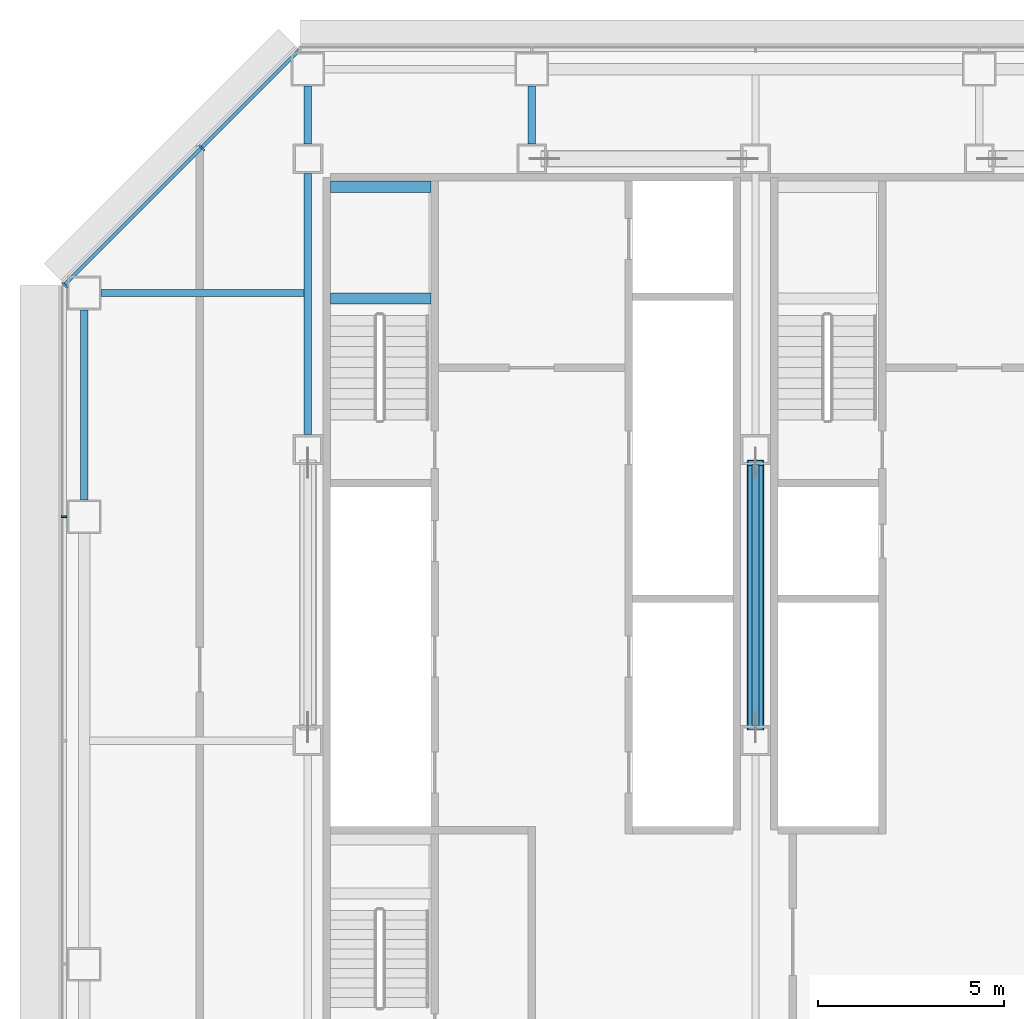
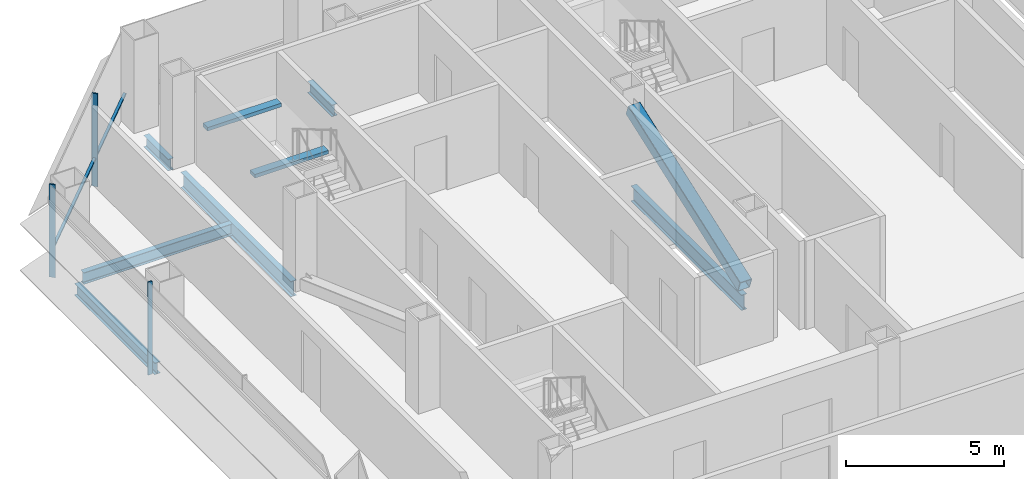
# One storey, part 11 of 28: 8 beams, 5 members, 2 elements without a shape of their own.
"""IFC4 building model written with IfcOpenShell, lengths in metres."""

from ifc_helpers import new_model, si_unit, direction, frame, origin, origin_2d, place, context, subcontext, project, spatial, rectangle, hollow_rectangle, i_section, extrude, material, material_profile, profile_set, type_object, element, aggregate, save


model = new_model("IFC4")

# Units and contexts
model_context = context("Model", 3, precision=1e-05, world=origin(), true_north=direction((0.0, 1.0)))
body_context = subcontext(model_context, "Body", "Model", "MODEL_VIEW")
ifc_project = project(units=[si_unit("LENGTHUNIT", "METRE"), si_unit("AREAUNIT", "SQUARE_METRE"), si_unit("VOLUMEUNIT", "CUBIC_METRE"), si_unit("PLANEANGLEUNIT", "RADIAN"), si_unit("MASSUNIT", "GRAM", prefix="KILO")], contexts=[model_context])

# Site, building, storey
site_placement = place(None, origin())
site = spatial("IfcSite", under=ifc_project, at=site_placement, CompositionType="ELEMENT")
building_placement = place(site_placement, origin())
building = spatial("IfcBuilding", under=site, at=building_placement, Name="Sorahane Residences", CompositionType="ELEMENT")
storey_placement = place(building_placement, frame((0.0, 0.0, 60.60009765625)))
storey = spatial("IfcBuildingStorey", under=building, at=storey_placement, Name="L11", CompositionType="ELEMENT", Elevation=60.60009765625)

# Member
ifc_material_1 = material(Name="Steel Q355B", Category="steel")
ifc_material_profile_1 = material_profile(ifc_material_1, hollow_rectangle(XDim=0.449951171875, YDim=0.449951171875, WallThickness=0.02197265625, InnerFilletRadius=0.010986328125, OuterFilletRadius=0.032958984375, at=origin_2d()), Name="RHS 450x450x22")
ifc_profile_set_1 = profile_set([ifc_material_profile_1], Name="Steel Q355B")
member_type_1 = type_object("IfcMemberType", Name="Core brace RHS 450x450x22 Q355B", PredefinedType="BRACE", material=ifc_profile_set_1)
member_1_placement = place(storey_placement, frame((18.0, 30.354248046875, 0.20849609375), z_axis=(0.0, 0.940886586011, 0.338721762313), x_axis=(-1.0, 0.0, 0.0)))
element("IfcMember", 1, at=member_1_placement, inside=storey, type_object=member_type_1, Name="Core brace L11 x18-1", PredefinedType="BRACE", context=body_context, shape_type="SweptSolid", body=[
    extrude(hollow_rectangle(XDim=0.449951171875, YDim=0.449951171875, WallThickness=0.02197265625, InnerFilletRadius=0.010986328125, OuterFilletRadius=0.032958984375, at=origin_2d()), origin(), (0.0, 0.0, 1.0), 7.537109375),
])

# Curtain wall, member
ifc_material_2 = material(Name="Dark low-e glass and black anodised aluminium", Category="aluminium")
curtain_wall_type_1 = type_object("IfcCurtainWallType", Name="Curtain wall CW-1 Typical unitised wall", PredefinedType="NOTDEFINED", material=ifc_material_2)
curtain_wall_1_placement = place(storey_placement, origin())
curtain_wall_1 = element("IfcCurtainWall", 2, at=curtain_wall_1_placement, inside=storey, type_object=curtain_wall_type_1, Name="CW-1 curtain wall L11 W1", PredefinedType="NOTDEFINED")
ifc_material_3 = material(Name="Black anodised aluminium", Category="aluminium")
ifc_material_profile_2 = material_profile(ifc_material_3, rectangle(XDim=0.159912109375, YDim=0.050048828125, at=origin_2d()), Name="Curtain wall mullion CW-1 black anodised aluminium 50x160")
ifc_profile_set_2 = profile_set([ifc_material_profile_2], Name="Black anodised aluminium")
member_type_2 = type_object("IfcMemberType", Name="Curtain wall mullion CW-1 black anodised aluminium 50x160", PredefinedType="MULLION", material=ifc_profile_set_2)
member_2_placement = place(storey_placement, frame((-0.5400390625, 36.0, -0.18017578125), z_axis=(0.0, 0.0, 1.0), x_axis=(-1.0, 0.0, 0.0)))
member_2 = element("IfcMember", 3, at=member_2_placement, type_object=member_type_2, Name="CW-1 mullion L11 W1.2", PredefinedType="MULLION", context=body_context, shape_type="SweptSolid", body=[
    extrude(rectangle(XDim=0.159912109375, YDim=0.050048828125, at=origin_2d()), origin(), (0.0, 0.0, 1.0), 3.60009765625),
])
aggregate(curtain_wall_1, [member_2])

# Curtain wall, members
ifc_material_4 = material(Name="Dark low-e glass and black anodised aluminium", Category="aluminium")
curtain_wall_type_2 = type_object("IfcCurtainWallType", Name="Curtain wall CW-2 Chamfer unitised wall", PredefinedType="NOTDEFINED", material=ifc_material_4)
curtain_wall_2_placement = place(storey_placement, origin())
curtain_wall_2 = element("IfcCurtainWall", 4, at=curtain_wall_2_placement, inside=storey, type_object=curtain_wall_type_2, Name="CW-2 curtain wall L11 NW1", PredefinedType="NOTDEFINED")
ifc_material_5 = material(Name="Black anodised aluminium", Category="aluminium")
ifc_material_profile_3 = material_profile(ifc_material_5, rectangle(XDim=0.199951171875, YDim=0.050048828125, at=origin_2d()), Name="Curtain wall mullion CW-2 black anodised aluminium 50x200")
ifc_profile_set_3 = profile_set([ifc_material_profile_3], Name="Black anodised aluminium")
member_type_3 = type_object("IfcMemberType", Name="Curtain wall mullion CW-2 black anodised aluminium 50x200", PredefinedType="MULLION", material=ifc_profile_set_3)
member_3_placement = place(storey_placement, frame((3.15673828125, 45.89208984375, -0.18017578125), z_axis=(0.0, 0.0, 1.0), x_axis=(-0.707106781187, 0.707106781187, 0.0)))
member_3 = element("IfcMember", 5, at=member_3_placement, type_object=member_type_3, Name="CW-2 mullion L11 NW1.2", PredefinedType="MULLION", context=body_context, shape_type="SweptSolid", body=[
    extrude(rectangle(XDim=0.199951171875, YDim=0.050048828125, at=origin_2d()), origin(), (0.0, 0.0, 1.0), 3.60009765625),
])
member_4_placement = place(storey_placement, frame((-0.525634765625, 42.209716796875, -0.18017578125), z_axis=(0.0, 0.0, 1.0), x_axis=(-0.707106781187, 0.707106781187, 0.0)))
member_4 = element("IfcMember", 6, at=member_4_placement, type_object=member_type_3, Name="CW-2 mullion L11 NW1.3", PredefinedType="MULLION", context=body_context, shape_type="SweptSolid", body=[
    extrude(rectangle(XDim=0.199951171875, YDim=0.050048828125, at=origin_2d()), origin(), (0.0, 0.0, 1.0), 3.60009765625),
])
ifc_material_6 = material(Name="Black anodised aluminium", Category="aluminium")
ifc_material_profile_4 = material_profile(ifc_material_6, rectangle(XDim=0.10009765625, YDim=0.06005859375, at=origin_2d()), Name="Curtain wall transom CW-2 black anodised aluminium 60x100")
ifc_profile_set_4 = profile_set([ifc_material_profile_4], Name="Black anodised aluminium")
member_type_4 = type_object("IfcMemberType", Name="Curtain wall transom CW-2 black anodised aluminium 60x100", PredefinedType="USERDEFINED", material=ifc_profile_set_4)
member_5_placement = place(storey_placement, frame((5.765625, 48.51513671875, 0.89990234375), z_axis=(-0.707106781187, -0.707106781187, 0.0), x_axis=(0.707106781187, -0.707106781187, 0.0)))
member_5 = element("IfcMember", 7, at=member_5_placement, type_object=member_type_4, Name="CW-2 transom L11 NW1", ObjectType="TRANSOM", PredefinedType="USERDEFINED", context=body_context, shape_type="SweptSolid", body=[
    extrude(rectangle(XDim=0.10009765625, YDim=0.06005859375, at=origin_2d()), origin(), (0.0, 0.0, 1.0), 8.88232421875),
])
aggregate(curtain_wall_2, [member_3, member_4, member_5])

# Beams
ifc_material_7 = material(Name="Concrete C40", Category="concrete")
ifc_material_profile_5 = material_profile(ifc_material_7, rectangle(XDim=0.300048828125, YDim=0.139892578125, at=origin_2d()), Name="300x140")
ifc_profile_set_5 = profile_set([ifc_material_profile_5], Name="Concrete C40")
beam_type_1 = type_object("IfcBeamType", Name="RC landing beam 300 x 140 Concrete C40", PredefinedType="BEAM", material=ifc_profile_set_5)
for number, where, z_axis, x_axis, name in (
    (8, (6.60009765625, 41.85009765625, 1.52978515625), (1.0, 0.0, 0.0), (0.0, 1.0, 0.0), "Landing beam"),
    (9, (6.60009765625, 44.85009765625, 1.52978515625), (1.0, 0.0, 0.0), (0.0, 1.0, 0.0), "Landing beam"),
):
    element("IfcBeam", number, at=place(storey_placement, frame(where, z_axis=z_axis, x_axis=x_axis)), inside=storey, type_object=beam_type_1, Name=name, PredefinedType="BEAM", context=body_context, shape_type="SweptSolid", body=[
        extrude(rectangle(XDim=0.300048828125, YDim=0.139892578125, at=origin_2d()), origin(), (0.0, 0.0, 1.0), 2.699951171875),
    ])
ifc_material_8 = material(Name="Steel Q355B", Category="steel")
ifc_material_profile_6 = material_profile(ifc_material_8, i_section(OverallWidth=0.199951171875, OverallDepth=0.449951171875, WebThickness=0.009033203125, FlangeThickness=0.013916015625, FilletRadius=0.02001953125, at=origin_2d()), Name="HN 450x200x9x14")
ifc_profile_set_6 = profile_set([ifc_material_profile_6], Name="Steel Q355B")
beam_type_2 = type_object("IfcBeamType", Name="Steel floor beam HN 450x200x9x14 Q355B", PredefinedType="BEAM", material=ifc_profile_set_6)
beam_1_placement = place(storey_placement, frame((0.0, 36.449951171875, -0.405029296875), z_axis=(0.0, 1.0, 0.0), x_axis=(-1.0, 0.0, 0.0)))
element("IfcBeam", 10, at=beam_1_placement, inside=storey, type_object=beam_type_2, Name="Beam L11 020", PredefinedType="BEAM", context=body_context, shape_type="SweptSolid", body=[
    extrude(i_section(OverallWidth=0.199951171875, OverallDepth=0.449951171875, WebThickness=0.009033203125, FlangeThickness=0.013916015625, FilletRadius=0.02001953125, at=origin_2d()), origin(), (0.0, 0.0, 1.0), 5.10009765625),
])
for number, where, z_axis, x_axis, name in (
    (11, (6.0, 46.0, -0.405029296875), (0.0, 1.0, 0.0), (-1.0, 0.0, 0.0), "Beam L11 026"),
    (12, (12.0, 46.0, -0.405029296875), (0.0, 1.0, 0.0), (-1.0, 0.0, 0.0), "Beam L11 028"),
):
    element("IfcBeam", number, at=place(storey_placement, frame(where, z_axis=z_axis, x_axis=x_axis)), inside=storey, type_object=beam_type_2, Name=name, PredefinedType="BEAM", context=body_context, shape_type="SweptSolid", body=[
        extrude(i_section(OverallWidth=0.199951171875, OverallDepth=0.449951171875, WebThickness=0.009033203125, FlangeThickness=0.013916015625, FilletRadius=0.02001953125, at=origin_2d()), origin(), (0.0, 0.0, 1.0), 1.550048828125),
    ])
beam_2_placement = place(storey_placement, frame((0.449951171875, 42.0, -0.405029296875), z_axis=(1.0, 0.0, 0.0), x_axis=(0.0, 1.0, 0.0)))
element("IfcBeam", 13, at=beam_2_placement, inside=storey, type_object=beam_type_2, Name="Beam L11 077", PredefinedType="BEAM", context=body_context, shape_type="SweptSolid", body=[
    extrude(i_section(OverallWidth=0.199951171875, OverallDepth=0.449951171875, WebThickness=0.009033203125, FlangeThickness=0.013916015625, FilletRadius=0.02001953125, at=origin_2d()), origin(), (0.0, 0.0, 1.0), 5.449951171875),
])
ifc_material_9 = material(Name="Steel Q355B", Category="steel")
ifc_material_profile_7 = material_profile(ifc_material_9, i_section(OverallWidth=0.199951171875, OverallDepth=0.60009765625, WebThickness=0.010986328125, FlangeThickness=0.01708984375, FilletRadius=0.02392578125, at=origin_2d()), Name="HN 600x200x11x17")
ifc_profile_set_7 = profile_set([ifc_material_profile_7], Name="Steel Q355B")
beam_type_3 = type_object("IfcBeamType", Name="Steel floor beam HN 600x200x11x17 Q355B", PredefinedType="BEAM", material=ifc_profile_set_7)
for number, where, z_axis, x_axis, name in (
    (14, (6.0, 38.199951171875, -0.47998046875), (0.0, 1.0, 0.0), (-1.0, 0.0, 0.0), "Beam L11 025"),
    (15, (18.0, 30.39990234375, -0.47998046875), (0.0, 1.0, 0.0), (-1.0, 0.0, 0.0), "Beam L11 031"),
):
    element("IfcBeam", number, at=place(storey_placement, frame(where, z_axis=z_axis, x_axis=x_axis)), inside=storey, type_object=beam_type_3, Name=name, PredefinedType="BEAM", context=body_context, shape_type="SweptSolid", body=[
        extrude(i_section(OverallWidth=0.199951171875, OverallDepth=0.60009765625, WebThickness=0.010986328125, FlangeThickness=0.01708984375, FilletRadius=0.02392578125, at=origin_2d()), origin(), (0.0, 0.0, 1.0), 7.0),
    ])

save(model, "model.ifc")
